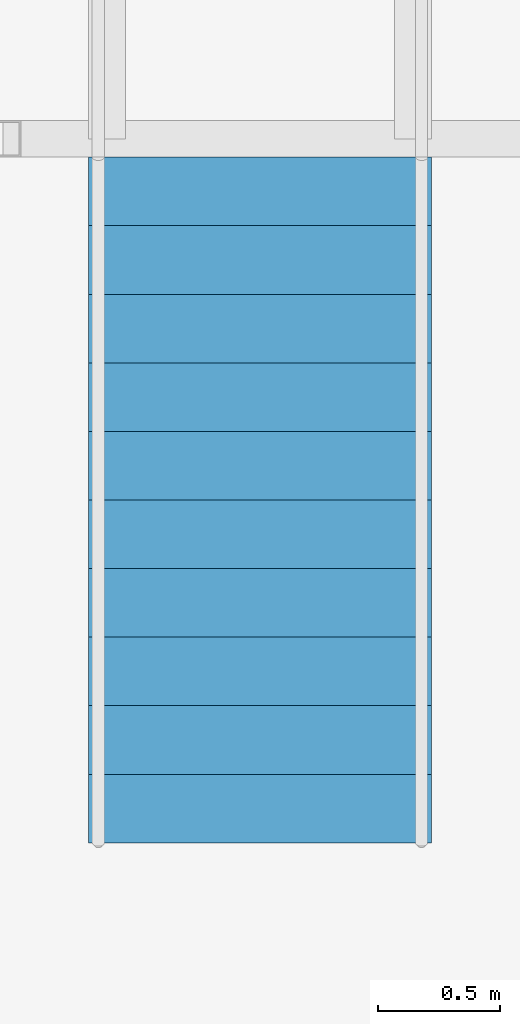
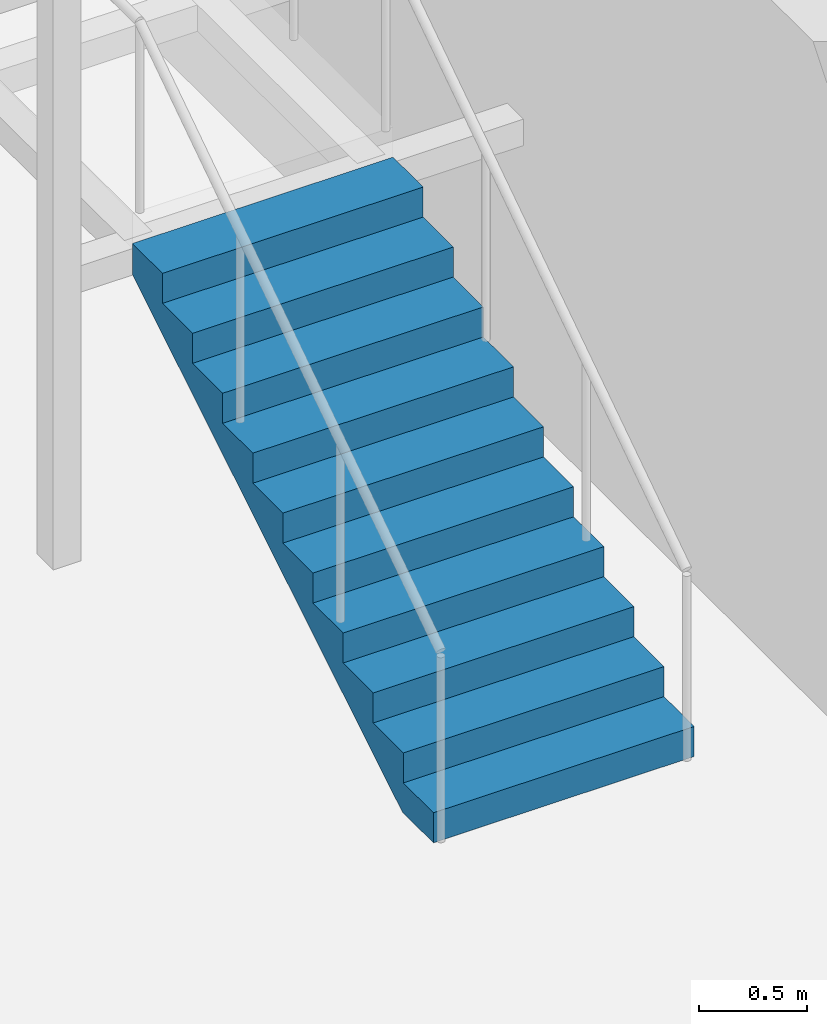
# One storey, part 26 of 28: 1 stair flight, 1 element without a shape of its own.
"""IFC4 building model written with IfcOpenShell, lengths in metres."""

import ifcopenshell
import ifcopenshell.guid

model = None  # the IFC model being written
_history = None  # IfcOwnerHistory: only IFC2X3 demands one
_inside = {}  # id of a spatial element -> (the spatial element, [elements in it])
_under = {}  # id of a project, library or spatial element -> (it, [spatial elements below it])
_declared = {}  # id of a project -> (the project, [libraries it declares])
_typed = {}  # id of a type object -> (the type object, [elements of that type])
_made_of = {}  # id of a material, layer set ... -> (it, [elements and type objects made of it])


def new_model(schema):
    """Start an empty IFC model of exactly this schema.

    Asked for "IFC4X3", IfcOpenShell would pick the latest addendum, in which some entities
    have other attributes; the version numbers below select the first issue.
    IFC2X3 requires an IfcOwnerHistory on every rooted entity: one is made here for all.
    """
    global model, _history
    if schema == "IFC4X3":
        model = ifcopenshell.file(schema_version=(4, 3, 0, 0))
    else:
        model = ifcopenshell.file(schema=schema)
    _inside.clear()
    _under.clear()
    _declared.clear()
    _typed.clear()
    _made_of.clear()
    _history = None
    if model.schema == "IFC2X3":
        org = make("IfcOrganization", Name="unknown")
        user = make(
            "IfcPersonAndOrganization",
            ThePerson=make("IfcPerson", FamilyName="unknown"),
            TheOrganization=org,
        )
        app = make(
            "IfcApplication",
            ApplicationDeveloper=org,
            Version="unknown",
            ApplicationFullName="unknown",
            ApplicationIdentifier="unknown",
        )
        _history = make(
            "IfcOwnerHistory",
            OwningUser=user,
            OwningApplication=app,
            ChangeAction="ADDED",
            CreationDate=0,
        )
    return model


def make(cls, **values):
    """One entity of the class cls with the attributes given. An attribute that is None is left unset."""
    return model.create_entity(
        cls, **{name: value for name, value in values.items() if value is not None}
    )


def rooted(cls, **values):
    """An entity with a GlobalId (a new one), such as an element, a storey or a relation."""
    return make(cls, GlobalId=ifcopenshell.guid.new(), OwnerHistory=_history, **values)


def si_unit(unit_type, name, prefix=None):
    """IfcSIUnit, for example si_unit("LENGTHUNIT", "METRE", prefix="MILLI")."""
    return make("IfcSIUnit", UnitType=unit_type, Prefix=prefix, Name=name)


def assignment(units):
    """IfcUnitAssignment: the units of a project."""
    return None if units is None else make("IfcUnitAssignment", Units=units)


def point(xyz):
    """IfcCartesianPoint."""
    return None if xyz is None else make("IfcCartesianPoint", Coordinates=xyz)


def direction(xyz):
    """IfcDirection."""
    return None if xyz is None else make("IfcDirection", DirectionRatios=xyz)


def frame(location, z_axis=None, x_axis=None):
    """IfcAxis2Placement3D, a coordinate frame: its origin and axes. An axis left out is left unset."""
    return make(
        "IfcAxis2Placement3D",
        Location=point(location),
        Axis=direction(z_axis),
        RefDirection=direction(x_axis),
    )


def origin():
    """The frame at (0, 0, 0) with its axes left unset."""
    return frame((0.0, 0.0, 0.0))


def place(relative_to, where):
    """IfcLocalPlacement: puts the frame where relative to a parent placement (None: the world)."""
    return make(
        "IfcLocalPlacement", PlacementRelTo=relative_to, RelativePlacement=where
    )


def context(
    kind, dimensions, precision=None, world=None, true_north=None, identifier=None
):
    """IfcGeometricRepresentationContext, for example the 3D "Model" context."""
    return make(
        "IfcGeometricRepresentationContext",
        ContextIdentifier=identifier,
        ContextType=kind,
        CoordinateSpaceDimension=dimensions,
        Precision=precision,
        WorldCoordinateSystem=world,
        TrueNorth=true_north,
    )


def subcontext(parent, identifier, kind, view, scale=None):
    """IfcGeometricRepresentationSubContext, for example "Body" below "Model"."""
    return make(
        "IfcGeometricRepresentationSubContext",
        ContextIdentifier=identifier,
        ContextType=kind,
        ParentContext=parent,
        TargetScale=scale,
        TargetView=view,
    )


def project(units=None, contexts=None):
    """IfcProject with its units and contexts."""
    return rooted(
        "IfcProject",
        Name="project",
        RepresentationContexts=contexts,
        UnitsInContext=assignment(units),
    )


def spatial(cls, under=None, at=None, **own):
    """A site, building, storey or space (cls), placed at a placement, below another one or the project."""
    s = rooted(cls, ObjectPlacement=at, **own)
    if under is not None:
        _under.setdefault(under.id(), (under, []))[1].append(s)
    return s


def point_list(points):
    """IfcCartesianPointList2D or 3D."""
    cls = (
        "IfcCartesianPointList2D" if len(points[0]) == 2 else "IfcCartesianPointList3D"
    )
    return make(cls, CoordList=points)


def triangles(points, corners, closed=None, point_numbers=None):
    """IfcTriangulatedFaceSet: each triangle names its three corners, points numbered from 1."""
    return make(
        "IfcTriangulatedFaceSet",
        Coordinates=point_list(points),
        Closed=closed,
        CoordIndex=corners,
        PnIndex=point_numbers,
    )


def shape(context_of_items, identifier, shape_type, items):
    """IfcShapeRepresentation: the items that make up one representation, for example the "Body"."""
    return make(
        "IfcShapeRepresentation",
        ContextOfItems=context_of_items,
        RepresentationIdentifier=identifier,
        RepresentationType=shape_type,
        Items=items,
    )


def material(Name=None, Category=None):
    """IfcMaterial."""
    return make("IfcMaterial", Name=Name, Category=Category)


def made_of(thing, what):
    """Note that an element or type object is made of a material, layer set ...; save() writes the relation."""
    if what is not None:
        _made_of.setdefault(what.id(), (what, []))[1].append(thing)
    return thing


def type_object(cls, material=None, **own):
    """A type object (cls), such as IfcWallType, which elements share."""
    return made_of(rooted(cls, **own), material)


def element(
    cls,
    number,
    at=None,
    inside=None,
    cuts=None,
    type_object=None,
    material=None,
    context=None,
    identifier="Body",
    shape_type=None,
    held_by="IfcProductDefinitionShape",
    body=None,
    shapes=None,
    **own,
):
    """One element of the class cls, such as IfcWall. Its Tag is "e" and its number.

    at: its placement. inside: the storey or other place that contains it. cuts: it is an
    opening in that element (IfcRelVoidsElement). A single representation is given by context,
    identifier, shape_type and body (its items); several are given by shapes. held_by: the class
    of the entity that holds the representations. save() writes the other relations.
    """
    e = rooted(cls, Tag="e%d" % number, ObjectPlacement=at, **own)
    if body is not None:
        shapes = [shape(context, identifier, shape_type, body)]
    if shapes is not None:
        e.Representation = make(held_by, Representations=shapes)
    if inside is not None:
        _inside.setdefault(inside.id(), (inside, []))[1].append(e)
    if cuts is not None:
        rooted(
            "IfcRelVoidsElement", RelatingBuildingElement=cuts, RelatedOpeningElement=e
        )
    if type_object is not None:
        _typed.setdefault(type_object.id(), (type_object, []))[1].append(e)
    return made_of(e, material)


def aggregate(whole, parts):
    """IfcRelAggregates: a whole, such as a stair, and the parts it consists of."""
    return rooted("IfcRelAggregates", RelatingObject=whole, RelatedObjects=parts)


def save(model, path):
    """Write the relations noted so far, then the file.

    IfcRelAggregates (storeys below a building ...), IfcRelContainedInSpatialStructure (elements
    in a storey), IfcRelDefinesByType, IfcRelAssociatesMaterial and IfcRelDeclares: one each for
    every whole, place, type object, material and project.
    """
    for whole, parts in _under.values():
        aggregate(whole, parts)
    for where, things in _inside.values():
        rooted(
            "IfcRelContainedInSpatialStructure",
            RelatedElements=things,
            RelatingStructure=where,
        )
    for kind, things in _typed.values():
        rooted("IfcRelDefinesByType", RelatedObjects=things, RelatingType=kind)
    for what, things in _made_of.values():
        rooted("IfcRelAssociatesMaterial", RelatedObjects=things, RelatingMaterial=what)
    for by, libraries in _declared.values():
        rooted("IfcRelDeclares", RelatingContext=by, RelatedDefinitions=libraries)
    model.write(path)


model = new_model("IFC4")

# Units and contexts
model_context = context("Model", 3, precision=1e-05, world=origin(), true_north=direction((0.0, 1.0)))
body_context = subcontext(model_context, "Body", "Model", "MODEL_VIEW")
ifc_project = project(units=[si_unit("LENGTHUNIT", "METRE"), si_unit("AREAUNIT", "SQUARE_METRE"), si_unit("VOLUMEUNIT", "CUBIC_METRE"), si_unit("PLANEANGLEUNIT", "RADIAN"), si_unit("MASSUNIT", "GRAM", prefix="KILO")], contexts=[model_context])

# Site, building, storey
site_placement = place(None, origin())
site = spatial("IfcSite", under=ifc_project, at=site_placement, CompositionType="ELEMENT")
building_placement = place(site_placement, origin())
building = spatial("IfcBuilding", under=site, at=building_placement, Name="Orbita Commons", CompositionType="ELEMENT")
storey_placement = place(building_placement, frame((0.0, 0.0, 38.949951171875)))
storey = spatial("IfcBuildingStorey", under=building, at=storey_placement, Name="L09", CompositionType="ELEMENT", Elevation=38.949951171875)

# Stair, stair flight
ifc_material_1 = material(Name="Steel ASTM A992 stringers, precast concrete C40/50 terrazzo treads", Category="concrete")
stair_type = type_object("IfcStairType", Name="Feature stair 22 risers 170 x 280 x 1400", PredefinedType="STRAIGHT_RUN_STAIR", material=ifc_material_1)
stair_placement = place(storey_placement, origin())
stair = element("IfcStair", 1, at=stair_placement, inside=storey, type_object=stair_type, Name="Neighbourhood stair L09 to L10", PredefinedType="STRAIGHT_RUN_STAIR")
ifc_material_2 = material(Name="Steel ASTM A992 stringers, precast concrete C40/50 terrazzo treads", Category="concrete")
stair_flight_type = type_object("IfcStairFlightType", Name="Feature stair flight 11 risers 170 x 1400", PredefinedType="STRAIGHT", material=ifc_material_2)
stair_flight_placement = place(storey_placement, frame((10.10009765625, 42.89990234375, 0.0), z_axis=(0.0, 0.0, 1.0), x_axis=(0.0, 1.0, 0.0)))
stair_flight = element("IfcStairFlight", 2, at=stair_flight_placement, type_object=stair_flight_type, Name="FS flight 1", NumberOfRisers=11, NumberOfTreads=10, PredefinedType="STRAIGHT", RiserHeight=0.170454545, TreadLength=0.28, context=body_context, shape_type="Tessellation", body=[
    triangles([(0.0, 0.699951, 0.0), (0.0, 0.699951, 0.021307), (0.0, 0.583293, 0.021307), (0.0, 0.583293, 0.0), (0.0, 0.466634, 0.021307), (0.0, 0.466634, 0.0), (0.0, 0.349976, 0.021307), (0.0, 0.349976, 0.0), (0.0, 0.233317, 0.021307), (0.0, 0.233317, 0.0), (0.0, 0.116659, 0.021307), (0.0, 0.116659, 0.0), (0.0, 0.0, 0.021307), (0.0, 0.0, 0.0), (0.0, -0.116659, 0.021307), (0.0, -0.116659, 0.0), (0.0, -0.233317, 0.021307), (0.0, -0.233317, 0.0), (0.0, -0.349976, 0.021307), (0.0, -0.349976, 0.0), (0.0, -0.466634, 0.021307), (0.0, -0.466634, 0.0), (0.0, -0.583293, 0.021307), (0.0, -0.583293, 0.0), (0.0, -0.699951, 0.021307), (0.0, -0.699951, 0.0), (0.0, 0.699951, 0.042614), (0.0, 0.583293, 0.042614), (0.0, 0.466634, 0.042614), (0.0, 0.349976, 0.042614), (0.0, 0.233317, 0.042614), (0.0, 0.116659, 0.042614), (0.0, 0.0, 0.042614), (0.0, -0.116659, 0.042614), (0.0, -0.233317, 0.042614), (0.0, -0.349976, 0.042614), (0.0, -0.466634, 0.042614), (0.0, -0.583293, 0.042614), (0.0, -0.699951, 0.042614), (0.0, 0.699951, 0.06392), (0.0, 0.583293, 0.06392), (0.0, 0.466634, 0.06392), (0.0, 0.349976, 0.06392), (0.0, 0.233317, 0.06392), (0.0, 0.116659, 0.06392), (0.0, 0.0, 0.06392), (0.0, -0.116659, 0.06392), (0.0, -0.233317, 0.06392), (0.0, -0.349976, 0.06392), (0.0, -0.466634, 0.06392), (0.0, -0.583293, 0.06392), (0.0, -0.699951, 0.06392), (0.0, 0.699951, 0.085227), (0.0, 0.583293, 0.085227), (0.0, 0.466634, 0.085227), (0.0, 0.349976, 0.085227), (0.0, 0.233317, 0.085227), (0.0, 0.116659, 0.085227), (0.0, 0.0, 0.085227), (0.0, -0.116659, 0.085227), (0.0, -0.233317, 0.085227), (0.0, -0.349976, 0.085227), (0.0, -0.466634, 0.085227), (0.0, -0.583293, 0.085227), (0.0, -0.699951, 0.085227), (0.0, 0.699951, 0.106534), (0.0, 0.583293, 0.106534), (0.0, 0.466634, 0.106534), (0.0, 0.349976, 0.106534), (0.0, 0.233317, 0.106534), (0.0, 0.116659, 0.106534), (0.0, 0.0, 0.106534), (0.0, -0.116659, 0.106534), (0.0, -0.233317, 0.106534), (0.0, -0.349976, 0.106534), (0.0, -0.466634, 0.106534), (0.0, -0.583293, 0.106534), (0.0, -0.699951, 0.106534), (0.0, 0.699951, 0.127841), (0.0, 0.583293, 0.127841), (0.0, 0.466634, 0.127841), (0.0, 0.349976, 0.127841), (0.0, 0.233317, 0.127841), (0.0, 0.116659, 0.127841), (0.0, 0.0, 0.127841), (0.0, -0.116659, 0.127841), (0.0, -0.233317, 0.127841), (0.0, -0.349976, 0.127841), (0.0, -0.466634, 0.127841), (0.0, -0.583293, 0.127841), (0.0, -0.699951, 0.127841), (0.0, 0.699951, 0.149148), (0.0, 0.583293, 0.149148), (0.0, 0.466634, 0.149148), (0.0, 0.349976, 0.149148), (0.0, 0.233317, 0.149148), (0.0, 0.116659, 0.149148), (0.0, 0.0, 0.149148), (0.0, -0.116659, 0.149148), (0.0, -0.233317, 0.149148), (0.0, -0.349976, 0.149148), (0.0, -0.466634, 0.149148), (0.0, -0.583293, 0.149148), (0.0, -0.699951, 0.149148), (0.0, 0.699951, 0.170455), (0.0, 0.583293, 0.170455), (0.0, 0.466634, 0.170455), (0.0, 0.349976, 0.170455), (0.0, 0.233317, 0.170455), (0.0, 0.116659, 0.170455), (0.0, 0.0, 0.170455), (0.0, -0.116659, 0.170455), (0.0, -0.233317, 0.170455), (0.0, -0.349976, 0.170455), (0.0, -0.466634, 0.170455), (0.0, -0.583293, 0.170455), (0.0, -0.699951, 0.170455), (0.28, 0.699951, 0.170455), (0.28, 0.583293, 0.170455), (0.28, 0.466634, 0.170455), (0.28, 0.349976, 0.170455), (0.28, 0.233317, 0.170455), (0.28, 0.116659, 0.170455), (0.28, 0.0, 0.170455), (0.28, -0.116659, 0.170455), (0.28, -0.233317, 0.170455), (0.28, -0.349976, 0.170455), (0.28, -0.466634, 0.170455), (0.28, -0.583293, 0.170455), (0.28, -0.699951, 0.170455), (0.28, 0.699951, 0.340909), (0.28, 0.583293, 0.340909), (0.28, 0.466634, 0.340909), (0.28, 0.349976, 0.340909), (0.28, 0.233317, 0.340909), (0.28, 0.116659, 0.340909), (0.28, 0.0, 0.340909), (0.28, -0.116659, 0.340909), (0.28, -0.233317, 0.340909), (0.28, -0.349976, 0.340909), (0.28, -0.466634, 0.340909), (0.28, -0.583293, 0.340909), (0.28, -0.699951, 0.340909), (0.56, 0.699951, 0.340909), (0.56, 0.583293, 0.340909), (0.56, 0.466634, 0.340909), (0.56, 0.349976, 0.340909), (0.56, 0.233317, 0.340909), (0.56, 0.116659, 0.340909), (0.56, 0.0, 0.340909), (0.56, -0.116659, 0.340909), (0.56, -0.233317, 0.340909), (0.56, -0.349976, 0.340909), (0.56, -0.466634, 0.340909), (0.56, -0.583293, 0.340909), (0.56, -0.699951, 0.340909), (0.56, 0.699951, 0.511364), (0.56, 0.583293, 0.511364), (0.56, 0.466634, 0.511364), (0.56, 0.349976, 0.511364), (0.56, 0.233317, 0.511364), (0.56, 0.116659, 0.511364), (0.56, 0.0, 0.511364), (0.56, -0.116659, 0.511364), (0.56, -0.233317, 0.511364), (0.56, -0.349976, 0.511364), (0.56, -0.466634, 0.511364), (0.56, -0.583293, 0.511364), (0.56, -0.699951, 0.511364), (0.84, 0.699951, 0.511364), (0.84, 0.583293, 0.511364), (0.84, 0.466634, 0.511364), (0.84, 0.349976, 0.511364), (0.84, 0.233317, 0.511364), (0.84, 0.116659, 0.511364), (0.84, 0.0, 0.511364), (0.84, -0.116659, 0.511364), (0.84, -0.233317, 0.511364), (0.84, -0.349976, 0.511364), (0.84, -0.466634, 0.511364), (0.84, -0.583293, 0.511364), (0.84, -0.699951, 0.511364), (0.84, 0.699951, 0.681818), (0.84, 0.583293, 0.681818), (0.84, 0.466634, 0.681818), (0.84, 0.349976, 0.681818), (0.84, 0.233317, 0.681818), (0.84, 0.116659, 0.681818), (0.84, 0.0, 0.681818), (0.84, -0.116659, 0.681818), (0.84, -0.233317, 0.681818), (0.84, -0.349976, 0.681818), (0.84, -0.466634, 0.681818), (0.84, -0.583293, 0.681818), (0.84, -0.699951, 0.681818), (1.12, 0.699951, 0.681818), (1.12, 0.583293, 0.681818), (1.12, 0.466634, 0.681818), (1.12, 0.349976, 0.681818), (1.12, 0.233317, 0.681818), (1.12, 0.116659, 0.681818), (1.12, 0.0, 0.681818), (1.12, -0.116659, 0.681818), (1.12, -0.233317, 0.681818), (1.12, -0.349976, 0.681818), (1.12, -0.466634, 0.681818), (1.12, -0.583293, 0.681818), (1.12, -0.699951, 0.681818), (1.12, 0.699951, 0.852273), (1.12, 0.583293, 0.852273), (1.12, 0.466634, 0.852273), (1.12, 0.349976, 0.852273), (1.12, 0.233317, 0.852273), (1.12, 0.116659, 0.852273), (1.12, 0.0, 0.852273), (1.12, -0.116659, 0.852273), (1.12, -0.233317, 0.852273), (1.12, -0.349976, 0.852273), (1.12, -0.466634, 0.852273), (1.12, -0.583293, 0.852273), (1.12, -0.699951, 0.852273), (1.4, 0.699951, 0.852273), (1.4, 0.583293, 0.852273), (1.4, 0.466634, 0.852273), (1.4, 0.349976, 0.852273), (1.4, 0.233317, 0.852273), (1.4, 0.116659, 0.852273), (1.4, 0.0, 0.852273), (1.4, -0.116659, 0.852273), (1.4, -0.233317, 0.852273), (1.4, -0.349976, 0.852273), (1.4, -0.466634, 0.852273), (1.4, -0.583293, 0.852273), (1.4, -0.699951, 0.852273), (1.4, 0.699951, 1.022727), (1.4, 0.583293, 1.022727), (1.4, 0.466634, 1.022727), (1.4, 0.349976, 1.022727), (1.4, 0.233317, 1.022727), (1.4, 0.116659, 1.022727), (1.4, 0.0, 1.022727), (1.4, -0.116659, 1.022727), (1.4, -0.233317, 1.022727), (1.4, -0.349976, 1.022727), (1.4, -0.466634, 1.022727), (1.4, -0.583293, 1.022727), (1.4, -0.699951, 1.022727), (1.68, 0.699951, 1.022727), (1.68, 0.583293, 1.022727), (1.68, 0.466634, 1.022727), (1.68, 0.349976, 1.022727), (1.68, 0.233317, 1.022727), (1.68, 0.116659, 1.022727), (1.68, 0.0, 1.022727), (1.68, -0.116659, 1.022727), (1.68, -0.233317, 1.022727), (1.68, -0.349976, 1.022727), (1.68, -0.466634, 1.022727), (1.68, -0.583293, 1.022727), (1.68, -0.699951, 1.022727), (1.68, 0.699951, 1.193182), (1.68, 0.583293, 1.193182), (1.68, 0.466634, 1.193182), (1.68, 0.349976, 1.193182), (1.68, 0.233317, 1.193182), (1.68, 0.116659, 1.193182), (1.68, 0.0, 1.193182), (1.68, -0.116659, 1.193182), (1.68, -0.233317, 1.193182), (1.68, -0.349976, 1.193182), (1.68, -0.466634, 1.193182), (1.68, -0.583293, 1.193182), (1.68, -0.699951, 1.193182), (1.96, 0.699951, 1.193182), (1.96, 0.583293, 1.193182), (1.96, 0.466634, 1.193182), (1.96, 0.349976, 1.193182), (1.96, 0.233317, 1.193182), (1.96, 0.116659, 1.193182), (1.96, 0.0, 1.193182), (1.96, -0.116659, 1.193182), (1.96, -0.233317, 1.193182), (1.96, -0.349976, 1.193182), (1.96, -0.466634, 1.193182), (1.96, -0.583293, 1.193182), (1.96, -0.699951, 1.193182), (1.96, 0.699951, 1.363636), (1.96, 0.583293, 1.363636), (1.96, 0.466634, 1.363636), (1.96, 0.349976, 1.363636), (1.96, 0.233317, 1.363636), (1.96, 0.116659, 1.363636), (1.96, 0.0, 1.363636), (1.96, -0.116659, 1.363636), (1.96, -0.233317, 1.363636), (1.96, -0.349976, 1.363636), (1.96, -0.466634, 1.363636), (1.96, -0.583293, 1.363636), (1.96, -0.699951, 1.363636), (2.24, 0.699951, 1.363636), (2.24, 0.583293, 1.363636), (2.24, 0.466634, 1.363636), (2.24, 0.349976, 1.363636), (2.24, 0.233317, 1.363636), (2.24, 0.116659, 1.363636), (2.24, 0.0, 1.363636), (2.24, -0.116659, 1.363636), (2.24, -0.233317, 1.363636), (2.24, -0.349976, 1.363636), (2.24, -0.466634, 1.363636), (2.24, -0.583293, 1.363636), (2.24, -0.699951, 1.363636), (2.24, 0.699951, 1.534091), (2.24, 0.583293, 1.534091), (2.24, 0.466634, 1.534091), (2.24, 0.349976, 1.534091), (2.24, 0.233317, 1.534091), (2.24, 0.116659, 1.534091), (2.24, 0.0, 1.534091), (2.24, -0.116659, 1.534091), (2.24, -0.233317, 1.534091), (2.24, -0.349976, 1.534091), (2.24, -0.466634, 1.534091), (2.24, -0.583293, 1.534091), (2.24, -0.699951, 1.534091), (2.52, 0.699951, 1.534091), (2.52, 0.583293, 1.534091), (2.52, 0.466634, 1.534091), (2.52, 0.349976, 1.534091), (2.52, 0.233317, 1.534091), (2.52, 0.116659, 1.534091), (2.52, 0.0, 1.534091), (2.52, -0.116659, 1.534091), (2.52, -0.233317, 1.534091), (2.52, -0.349976, 1.534091), (2.52, -0.466634, 1.534091), (2.52, -0.583293, 1.534091), (2.52, -0.699951, 1.534091), (2.52, 0.699951, 1.704545), (2.52, 0.583293, 1.704545), (2.52, 0.466634, 1.704545), (2.52, 0.349976, 1.704545), (2.52, 0.233317, 1.704545), (2.52, 0.116659, 1.704545), (2.52, 0.0, 1.704545), (2.52, -0.116659, 1.704545), (2.52, -0.233317, 1.704545), (2.52, -0.349976, 1.704545), (2.52, -0.466634, 1.704545), (2.52, -0.583293, 1.704545), (2.52, -0.699951, 1.704545), (2.8, 0.699951, 1.704545), (2.8, 0.583293, 1.704545), (2.8, 0.466634, 1.704545), (2.8, 0.349976, 1.704545), (2.8, 0.233317, 1.704545), (2.8, 0.116659, 1.704545), (2.8, 0.0, 1.704545), (2.8, -0.116659, 1.704545), (2.8, -0.233317, 1.704545), (2.8, -0.349976, 1.704545), (2.8, -0.466634, 1.704545), (2.8, -0.583293, 1.704545), (2.8, -0.699951, 1.704545), (2.8, 0.699951, 1.682609), (2.8, 0.583293, 1.682609), (2.8, 0.466634, 1.682609), (2.8, 0.349976, 1.682609), (2.8, 0.233317, 1.682609), (2.8, 0.116659, 1.682609), (2.8, 0.0, 1.682609), (2.8, -0.116659, 1.682609), (2.8, -0.233317, 1.682609), (2.8, -0.349976, 1.682609), (2.8, -0.466634, 1.682609), (2.8, -0.583293, 1.682609), (2.8, -0.699951, 1.682609), (2.8, 0.699951, 1.660672), (2.8, 0.583293, 1.660672), (2.8, 0.466634, 1.660672), (2.8, 0.349976, 1.660672), (2.8, 0.233317, 1.660672), (2.8, 0.116659, 1.660672), (2.8, 0.0, 1.660672), (2.8, -0.116659, 1.660672), (2.8, -0.233317, 1.660672), (2.8, -0.349976, 1.660672), (2.8, -0.466634, 1.660672), (2.8, -0.583293, 1.660672), (2.8, -0.699951, 1.660672), (2.8, 0.699951, 1.638735), (2.8, 0.583293, 1.638735), (2.8, 0.466634, 1.638735), (2.8, 0.349976, 1.638735), (2.8, 0.233317, 1.638735), (2.8, 0.116659, 1.638735), (2.8, 0.0, 1.638735), (2.8, -0.116659, 1.638735), (2.8, -0.233317, 1.638735), (2.8, -0.349976, 1.638735), (2.8, -0.466634, 1.638735), (2.8, -0.583293, 1.638735), (2.8, -0.699951, 1.638735), (2.8, 0.699951, 1.616798), (2.8, 0.583293, 1.616798), (2.8, 0.466634, 1.616798), (2.8, 0.349976, 1.616798), (2.8, 0.233317, 1.616798), (2.8, 0.116659, 1.616798), (2.8, 0.0, 1.616798), (2.8, -0.116659, 1.616798), (2.8, -0.233317, 1.616798), (2.8, -0.349976, 1.616798), (2.8, -0.466634, 1.616798), (2.8, -0.583293, 1.616798), (2.8, -0.699951, 1.616798), (2.8, 0.699951, 1.594861), (2.8, 0.583293, 1.594861), (2.8, 0.466634, 1.594861), (2.8, 0.349976, 1.594861), (2.8, 0.233317, 1.594861), (2.8, 0.116659, 1.594861), (2.8, 0.0, 1.594861), (2.8, -0.116659, 1.594861), (2.8, -0.233317, 1.594861), (2.8, -0.349976, 1.594861), (2.8, -0.466634, 1.594861), (2.8, -0.583293, 1.594861), (2.8, -0.699951, 1.594861), (2.8, 0.699951, 1.572925), (2.8, 0.583293, 1.572925), (2.8, 0.466634, 1.572925), (2.8, 0.349976, 1.572925), (2.8, 0.233317, 1.572925), (2.8, 0.116659, 1.572925), (2.8, 0.0, 1.572925), (2.8, -0.116659, 1.572925), (2.8, -0.233317, 1.572925), (2.8, -0.349976, 1.572925), (2.8, -0.466634, 1.572925), (2.8, -0.583293, 1.572925), (2.8, -0.699951, 1.572925), (2.8, 0.699951, 1.550988), (2.8, 0.583293, 1.550988), (2.8, 0.466634, 1.550988), (2.8, 0.349976, 1.550988), (2.8, 0.233317, 1.550988), (2.8, 0.116659, 1.550988), (2.8, 0.0, 1.550988), (2.8, -0.116659, 1.550988), (2.8, -0.233317, 1.550988), (2.8, -0.349976, 1.550988), (2.8, -0.466634, 1.550988), (2.8, -0.583293, 1.550988), (2.8, -0.699951, 1.550988), (2.8, 0.699951, 1.529051), (2.8, 0.583293, 1.529051), (2.8, 0.466634, 1.529051), (2.8, 0.349976, 1.529051), (2.8, 0.233317, 1.529051), (2.8, 0.116659, 1.529051), (2.8, 0.0, 1.529051), (2.8, -0.116659, 1.529051), (2.8, -0.233317, 1.529051), (2.8, -0.349976, 1.529051), (2.8, -0.466634, 1.529051), (2.8, -0.583293, 1.529051), (2.8, -0.699951, 1.529051), (0.288279, 0.699951, 0.0), (0.288279, 0.583293, 0.0), (0.288279, 0.466634, 0.0), (0.288279, 0.349976, 0.0), (0.288279, 0.233317, 0.0), (0.288279, 0.116659, 0.0), (0.288279, 0.0, 0.0), (0.288279, -0.116659, 0.0), (0.288279, -0.233317, 0.0), (0.288279, -0.349976, 0.0), (0.288279, -0.466634, 0.0), (0.288279, -0.583293, 0.0), (0.288279, -0.699951, 0.0)], [[3, 2, 1], [4, 3, 1], [5, 3, 4], [6, 5, 4], [7, 5, 6], [8, 7, 6], [9, 7, 8], [10, 9, 8], [11, 9, 10], [12, 11, 10], [13, 11, 12], [14, 13, 12], [15, 13, 14], [16, 15, 14], [17, 15, 16], [18, 17, 16], [19, 17, 18], [20, 19, 18], [21, 19, 20], [22, 21, 20], [23, 21, 22], [24, 23, 22], [25, 23, 24], [26, 25, 24], [28, 27, 2], [3, 28, 2], [29, 28, 3], [5, 29, 3], [30, 29, 5], [7, 30, 5], [31, 30, 7], [9, 31, 7], [32, 31, 9], [11, 32, 9], [33, 32, 11], [13, 33, 11], [34, 33, 13], [15, 34, 13], [35, 34, 15], [17, 35, 15], [36, 35, 17], [19, 36, 17], [37, 36, 19], [21, 37, 19], [38, 37, 21], [23, 38, 21], [39, 38, 23], [25, 39, 23], [41, 40, 27], [28, 41, 27], [42, 41, 28], [29, 42, 28], [43, 42, 29], [30, 43, 29], [44, 43, 30], [31, 44, 30], [45, 44, 31], [32, 45, 31], [46, 45, 32], [33, 46, 32], [47, 46, 33], [34, 47, 33], [48, 47, 34], [35, 48, 34], [49, 48, 35], [36, 49, 35], [50, 49, 36], [37, 50, 36], [51, 50, 37], [38, 51, 37], [52, 51, 38], [39, 52, 38], [54, 53, 40], [41, 54, 40], [55, 54, 41], [42, 55, 41], [56, 55, 42], [43, 56, 42], [57, 56, 43], [44, 57, 43], [58, 57, 44], [45, 58, 44], [59, 58, 45], [46, 59, 45], [60, 59, 46], [47, 60, 46], [61, 60, 47], [48, 61, 47], [62, 61, 48], [49, 62, 48], [63, 62, 49], [50, 63, 49], [64, 63, 50], [51, 64, 50], [65, 64, 51], [52, 65, 51], [67, 66, 53], [54, 67, 53], [68, 67, 54], [55, 68, 54], [69, 68, 55], [56, 69, 55], [70, 69, 56], [57, 70, 56], [71, 70, 57], [58, 71, 57], [72, 71, 58], [59, 72, 58], [73, 72, 59], [60, 73, 59], [74, 73, 60], [61, 74, 60], [75, 74, 61], [62, 75, 61], [76, 75, 62], [63, 76, 62], [77, 76, 63], [64, 77, 63], [78, 77, 64], [65, 78, 64], [80, 79, 66], [67, 80, 66], [81, 80, 67], [68, 81, 67], [82, 81, 68], [69, 82, 68], [83, 82, 69], [70, 83, 69], [84, 83, 70], [71, 84, 70], [85, 84, 71], [72, 85, 71], [86, 85, 72], [73, 86, 72], [87, 86, 73], [74, 87, 73], [88, 87, 74], [75, 88, 74], [89, 88, 75], [76, 89, 75], [90, 89, 76], [77, 90, 76], [91, 90, 77], [78, 91, 77], [93, 92, 79], [80, 93, 79], [94, 93, 80], [81, 94, 80], [95, 94, 81], [82, 95, 81], [96, 95, 82], [83, 96, 82], [97, 96, 83], [84, 97, 83], [98, 97, 84], [85, 98, 84], [99, 98, 85], [86, 99, 85], [100, 99, 86], [87, 100, 86], [101, 100, 87], [88, 101, 87], [102, 101, 88], [89, 102, 88], [103, 102, 89], [90, 103, 89], [104, 103, 90], [91, 104, 90], [106, 105, 92], [93, 106, 92], [107, 106, 93], [94, 107, 93], [108, 107, 94], [95, 108, 94], [109, 108, 95], [96, 109, 95], [110, 109, 96], [97, 110, 96], [111, 110, 97], [98, 111, 97], [112, 111, 98], [99, 112, 98], [113, 112, 99], [100, 113, 99], [114, 113, 100], [101, 114, 100], [115, 114, 101], [102, 115, 101], [116, 115, 102], [103, 116, 102], [117, 116, 103], [104, 117, 103], [119, 118, 105], [106, 119, 105], [120, 119, 106], [107, 120, 106], [121, 120, 107], [108, 121, 107], [122, 121, 108], [109, 122, 108], [123, 122, 109], [110, 123, 109], [124, 123, 110], [111, 124, 110], [125, 124, 111], [112, 125, 111], [126, 125, 112], [113, 126, 112], [127, 126, 113], [114, 127, 113], [128, 127, 114], [115, 128, 114], [129, 128, 115], [116, 129, 115], [130, 129, 116], [117, 130, 116], [132, 131, 118], [119, 132, 118], [133, 132, 119], [120, 133, 119], [134, 133, 120], [121, 134, 120], [135, 134, 121], [122, 135, 121], [136, 135, 122], [123, 136, 122], [137, 136, 123], [124, 137, 123], [138, 137, 124], [125, 138, 124], [139, 138, 125], [126, 139, 125], [140, 139, 126], [127, 140, 126], [141, 140, 127], [128, 141, 127], [142, 141, 128], [129, 142, 128], [143, 142, 129], [130, 143, 129], [145, 144, 131], [132, 145, 131], [146, 145, 132], [133, 146, 132], [147, 146, 133], [134, 147, 133], [148, 147, 134], [135, 148, 134], [149, 148, 135], [136, 149, 135], [150, 149, 136], [137, 150, 136], [151, 150, 137], [138, 151, 137], [152, 151, 138], [139, 152, 138], [153, 152, 139], [140, 153, 139], [154, 153, 140], [141, 154, 140], [155, 154, 141], [142, 155, 141], [156, 155, 142], [143, 156, 142], [158, 157, 144], [145, 158, 144], [159, 158, 145], [146, 159, 145], [160, 159, 146], [147, 160, 146], [161, 160, 147], [148, 161, 147], [162, 161, 148], [149, 162, 148], [163, 162, 149], [150, 163, 149], [164, 163, 150], [151, 164, 150], [165, 164, 151], [152, 165, 151], [166, 165, 152], [153, 166, 152], [167, 166, 153], [154, 167, 153], [168, 167, 154], [155, 168, 154], [169, 168, 155], [156, 169, 155], [171, 170, 157], [158, 171, 157], [172, 171, 158], [159, 172, 158], [173, 172, 159], [160, 173, 159], [174, 173, 160], [161, 174, 160], [175, 174, 161], [162, 175, 161], [176, 175, 162], [163, 176, 162], [177, 176, 163], [164, 177, 163], [178, 177, 164], [165, 178, 164], [179, 178, 165], [166, 179, 165], [180, 179, 166], [167, 180, 166], [181, 180, 167], [168, 181, 167], [182, 181, 168], [169, 182, 168], [184, 183, 170], [171, 184, 170], [185, 184, 171], [172, 185, 171], [186, 185, 172], [173, 186, 172], [187, 186, 173], [174, 187, 173], [188, 187, 174], [175, 188, 174], [189, 188, 175], [176, 189, 175], [190, 189, 176], [177, 190, 176], [191, 190, 177], [178, 191, 177], [192, 191, 178], [179, 192, 178], [193, 192, 179], [180, 193, 179], [194, 193, 180], [181, 194, 180], [195, 194, 181], [182, 195, 181], [197, 196, 183], [184, 197, 183], [198, 197, 184], [185, 198, 184], [199, 198, 185], [186, 199, 185], [200, 199, 186], [187, 200, 186], [201, 200, 187], [188, 201, 187], [202, 201, 188], [189, 202, 188], [203, 202, 189], [190, 203, 189], [204, 203, 190], [191, 204, 190], [205, 204, 191], [192, 205, 191], [206, 205, 192], [193, 206, 192], [207, 206, 193], [194, 207, 193], [208, 207, 194], [195, 208, 194], [210, 209, 196], [197, 210, 196], [211, 210, 197], [198, 211, 197], [212, 211, 198], [199, 212, 198], [213, 212, 199], [200, 213, 199], [214, 213, 200], [201, 214, 200], [215, 214, 201], [202, 215, 201], [216, 215, 202], [203, 216, 202], [217, 216, 203], [204, 217, 203], [218, 217, 204], [205, 218, 204], [219, 218, 205], [206, 219, 205], [220, 219, 206], [207, 220, 206], [221, 220, 207], [208, 221, 207], [223, 222, 209], [210, 223, 209], [224, 223, 210], [211, 224, 210], [225, 224, 211], [212, 225, 211], [226, 225, 212], [213, 226, 212], [227, 226, 213], [214, 227, 213], [228, 227, 214], [215, 228, 214], [229, 228, 215], [216, 229, 215], [230, 229, 216], [217, 230, 216], [231, 230, 217], [218, 231, 217], [232, 231, 218], [219, 232, 218], [233, 232, 219], [220, 233, 219], [234, 233, 220], [221, 234, 220], [236, 235, 222], [223, 236, 222], [237, 236, 223], [224, 237, 223], [238, 237, 224], [225, 238, 224], [239, 238, 225], [226, 239, 225], [240, 239, 226], [227, 240, 226], [241, 240, 227], [228, 241, 227], [242, 241, 228], [229, 242, 228], [243, 242, 229], [230, 243, 229], [244, 243, 230], [231, 244, 230], [245, 244, 231], [232, 245, 231], [246, 245, 232], [233, 246, 232], [247, 246, 233], [234, 247, 233], [249, 248, 235], [236, 249, 235], [250, 249, 236], [237, 250, 236], [251, 250, 237], [238, 251, 237], [252, 251, 238], [239, 252, 238], [253, 252, 239], [240, 253, 239], [254, 253, 240], [241, 254, 240], [255, 254, 241], [242, 255, 241], [256, 255, 242], [243, 256, 242], [257, 256, 243], [244, 257, 243], [258, 257, 244], [245, 258, 244], [259, 258, 245], [246, 259, 245], [260, 259, 246], [247, 260, 246], [262, 261, 248], [249, 262, 248], [263, 262, 249], [250, 263, 249], [264, 263, 250], [251, 264, 250], [265, 264, 251], [252, 265, 251], [266, 265, 252], [253, 266, 252], [267, 266, 253], [254, 267, 253], [268, 267, 254], [255, 268, 254], [269, 268, 255], [256, 269, 255], [270, 269, 256], [257, 270, 256], [271, 270, 257], [258, 271, 257], [272, 271, 258], [259, 272, 258], [273, 272, 259], [260, 273, 259], [275, 274, 261], [262, 275, 261], [276, 275, 262], [263, 276, 262], [277, 276, 263], [264, 277, 263], [278, 277, 264], [265, 278, 264], [279, 278, 265], [266, 279, 265], [280, 279, 266], [267, 280, 266], [281, 280, 267], [268, 281, 267], [282, 281, 268], [269, 282, 268], [283, 282, 269], [270, 283, 269], [284, 283, 270], [271, 284, 270], [285, 284, 271], [272, 285, 271], [286, 285, 272], [273, 286, 272], [288, 287, 274], [275, 288, 274], [289, 288, 275], [276, 289, 275], [290, 289, 276], [277, 290, 276], [291, 290, 277], [278, 291, 277], [292, 291, 278], [279, 292, 278], [293, 292, 279], [280, 293, 279], [294, 293, 280], [281, 294, 280], [295, 294, 281], [282, 295, 281], [296, 295, 282], [283, 296, 282], [297, 296, 283], [284, 297, 283], [298, 297, 284], [285, 298, 284], [299, 298, 285], [286, 299, 285], [301, 300, 287], [288, 301, 287], [302, 301, 288], [289, 302, 288], [303, 302, 289], [290, 303, 289], [304, 303, 290], [291, 304, 290], [305, 304, 291], [292, 305, 291], [306, 305, 292], [293, 306, 292], [307, 306, 293], [294, 307, 293], [308, 307, 294], [295, 308, 294], [309, 308, 295], [296, 309, 295], [310, 309, 296], [297, 310, 296], [311, 310, 297], [298, 311, 297], [312, 311, 298], [299, 312, 298], [314, 313, 300], [301, 314, 300], [315, 314, 301], [302, 315, 301], [316, 315, 302], [303, 316, 302], [317, 316, 303], [304, 317, 303], [318, 317, 304], [305, 318, 304], [319, 318, 305], [306, 319, 305], [320, 319, 306], [307, 320, 306], [321, 320, 307], [308, 321, 307], [322, 321, 308], [309, 322, 308], [323, 322, 309], [310, 323, 309], [324, 323, 310], [311, 324, 310], [325, 324, 311], [312, 325, 311], [327, 326, 313], [314, 327, 313], [328, 327, 314], [315, 328, 314], [329, 328, 315], [316, 329, 315], [330, 329, 316], [317, 330, 316], [331, 330, 317], [318, 331, 317], [332, 331, 318], [319, 332, 318], [333, 332, 319], [320, 333, 319], [334, 333, 320], [321, 334, 320], [335, 334, 321], [322, 335, 321], [336, 335, 322], [323, 336, 322], [337, 336, 323], [324, 337, 323], [338, 337, 324], [325, 338, 324], [340, 339, 326], [327, 340, 326], [341, 340, 327], [328, 341, 327], [342, 341, 328], [329, 342, 328], [343, 342, 329], [330, 343, 329], [344, 343, 330], [331, 344, 330], [345, 344, 331], [332, 345, 331], [346, 345, 332], [333, 346, 332], [347, 346, 333], [334, 347, 333], [348, 347, 334], [335, 348, 334], [349, 348, 335], [336, 349, 335], [350, 349, 336], [337, 350, 336], [351, 350, 337], [338, 351, 337], [353, 352, 339], [340, 353, 339], [354, 353, 340], [341, 354, 340], [355, 354, 341], [342, 355, 341], [356, 355, 342], [343, 356, 342], [357, 356, 343], [344, 357, 343], [358, 357, 344], [345, 358, 344], [359, 358, 345], [346, 359, 345], [360, 359, 346], [347, 360, 346], [361, 360, 347], [348, 361, 347], [362, 361, 348], [349, 362, 348], [363, 362, 349], [350, 363, 349], [364, 363, 350], [351, 364, 350], [366, 365, 352], [353, 366, 352], [367, 366, 353], [354, 367, 353], [368, 367, 354], [355, 368, 354], [369, 368, 355], [356, 369, 355], [370, 369, 356], [357, 370, 356], [371, 370, 357], [358, 371, 357], [372, 371, 358], [359, 372, 358], [373, 372, 359], [360, 373, 359], [374, 373, 360], [361, 374, 360], [375, 374, 361], [362, 375, 361], [376, 375, 362], [363, 376, 362], [377, 376, 363], [364, 377, 363], [379, 378, 365], [366, 379, 365], [380, 379, 366], [367, 380, 366], [381, 380, 367], [368, 381, 367], [382, 381, 368], [369, 382, 368], [383, 382, 369], [370, 383, 369], [384, 383, 370], [371, 384, 370], [385, 384, 371], [372, 385, 371], [386, 385, 372], [373, 386, 372], [387, 386, 373], [374, 387, 373], [388, 387, 374], [375, 388, 374], [389, 388, 375], [376, 389, 375], [390, 389, 376], [377, 390, 376], [392, 391, 378], [379, 392, 378], [393, 392, 379], [380, 393, 379], [394, 393, 380], [381, 394, 380], [395, 394, 381], [382, 395, 381], [396, 395, 382], [383, 396, 382], [397, 396, 383], [384, 397, 383], [398, 397, 384], [385, 398, 384], [399, 398, 385], [386, 399, 385], [400, 399, 386], [387, 400, 386], [401, 400, 387], [388, 401, 387], [402, 401, 388], [389, 402, 388], [403, 402, 389], [390, 403, 389], [405, 404, 391], [392, 405, 391], [406, 405, 392], [393, 406, 392], [407, 406, 393], [394, 407, 393], [408, 407, 394], [395, 408, 394], [409, 408, 395], [396, 409, 395], [410, 409, 396], [397, 410, 396], [411, 410, 397], [398, 411, 397], [412, 411, 398], [399, 412, 398], [413, 412, 399], [400, 413, 399], [414, 413, 400], [401, 414, 400], [415, 414, 401], [402, 415, 401], [416, 415, 402], [403, 416, 402], [418, 417, 404], [405, 418, 404], [419, 418, 405], [406, 419, 405], [420, 419, 406], [407, 420, 406], [421, 420, 407], [408, 421, 407], [422, 421, 408], [409, 422, 408], [423, 422, 409], [410, 423, 409], [424, 423, 410], [411, 424, 410], [425, 424, 411], [412, 425, 411], [426, 425, 412], [413, 426, 412], [427, 426, 413], [414, 427, 413], [428, 427, 414], [415, 428, 414], [429, 428, 415], [416, 429, 415], [431, 430, 417], [418, 431, 417], [432, 431, 418], [419, 432, 418], [433, 432, 419], [420, 433, 419], [434, 433, 420], [421, 434, 420], [435, 434, 421], [422, 435, 421], [436, 435, 422], [423, 436, 422], [437, 436, 423], [424, 437, 423], [438, 437, 424], [425, 438, 424], [439, 438, 425], [426, 439, 425], [440, 439, 426], [427, 440, 426], [441, 440, 427], [428, 441, 427], [442, 441, 428], [429, 442, 428], [444, 443, 430], [431, 444, 430], [445, 444, 431], [432, 445, 431], [446, 445, 432], [433, 446, 432], [447, 446, 433], [434, 447, 433], [448, 447, 434], [435, 448, 434], [449, 448, 435], [436, 449, 435], [450, 449, 436], [437, 450, 436], [451, 450, 437], [438, 451, 437], [452, 451, 438], [439, 452, 438], [453, 452, 439], [440, 453, 439], [454, 453, 440], [441, 454, 440], [455, 454, 441], [442, 455, 441], [457, 456, 443], [444, 457, 443], [458, 457, 444], [445, 458, 444], [459, 458, 445], [446, 459, 445], [460, 459, 446], [447, 460, 446], [461, 460, 447], [448, 461, 447], [462, 461, 448], [449, 462, 448], [463, 462, 449], [450, 463, 449], [464, 463, 450], [451, 464, 450], [465, 464, 451], [452, 465, 451], [466, 465, 452], [453, 466, 452], [467, 466, 453], [454, 467, 453], [468, 467, 454], [455, 468, 454], [470, 469, 456], [457, 470, 456], [471, 470, 457], [458, 471, 457], [472, 471, 458], [459, 472, 458], [473, 472, 459], [460, 473, 459], [474, 473, 460], [461, 474, 460], [475, 474, 461], [462, 475, 461], [476, 475, 462], [463, 476, 462], [477, 476, 463], [464, 477, 463], [478, 477, 464], [465, 478, 464], [479, 478, 465], [466, 479, 465], [480, 479, 466], [467, 480, 466], [481, 480, 467], [468, 481, 467], [4, 1, 469], [470, 4, 469], [6, 4, 470], [471, 6, 470], [8, 6, 471], [472, 8, 471], [10, 8, 472], [473, 10, 472], [12, 10, 473], [474, 12, 473], [14, 12, 474], [475, 14, 474], [16, 14, 475], [476, 16, 475], [18, 16, 476], [477, 18, 476], [20, 18, 477], [478, 20, 477], [22, 20, 478], [479, 22, 478], [24, 22, 479], [480, 24, 479], [26, 24, 480], [481, 26, 480], [456, 469, 1], [26, 481, 468], [443, 456, 1], [26, 468, 455], [430, 443, 1], [26, 455, 442], [417, 430, 1], [26, 442, 429], [404, 417, 1], [26, 429, 416], [391, 404, 1], [26, 416, 403], [378, 391, 1], [26, 403, 390], [365, 378, 1], [26, 390, 377], [339, 352, 365], [377, 364, 351], [326, 339, 365], [377, 351, 338], [300, 313, 326], [338, 325, 312], [300, 326, 365], [377, 338, 312], [274, 287, 300], [312, 299, 286], [274, 300, 365], [377, 312, 286], [248, 261, 274], [286, 273, 260], [248, 274, 365], [377, 286, 260], [222, 235, 248], [260, 247, 234], [222, 248, 365], [377, 260, 234], [196, 209, 222], [234, 221, 208], [196, 222, 365], [377, 234, 208], [170, 183, 196], [208, 195, 182], [170, 196, 365], [377, 208, 182], [144, 157, 170], [182, 169, 156], [144, 170, 365], [377, 182, 156], [118, 131, 144], [156, 143, 130], [118, 144, 365], [377, 156, 130], [118, 365, 1], [26, 377, 130], [92, 105, 118], [130, 117, 104], [79, 92, 118], [130, 104, 91], [66, 79, 118], [130, 91, 78], [53, 66, 118], [130, 78, 65], [40, 53, 118], [130, 65, 52], [27, 40, 118], [130, 52, 39], [2, 27, 118], [130, 39, 25], [1, 2, 118], [130, 25, 26]], closed=True),
])
aggregate(stair, [stair_flight])

save(model, "model.ifc")
